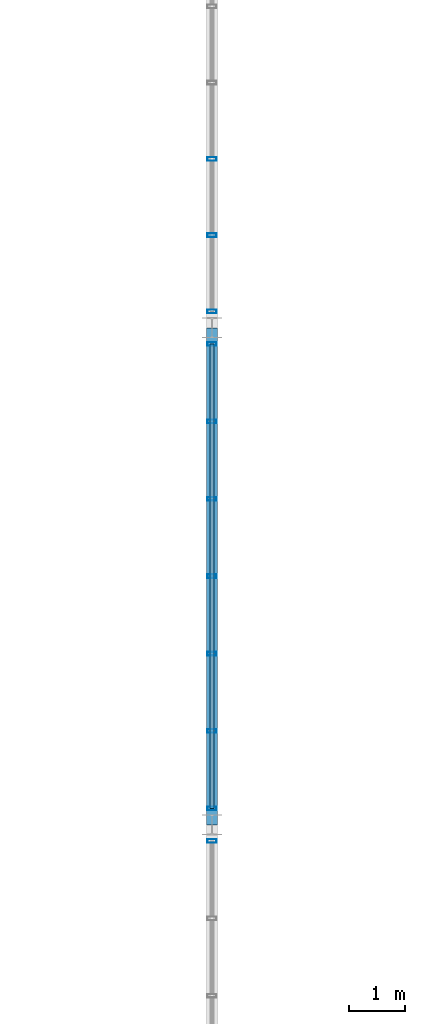
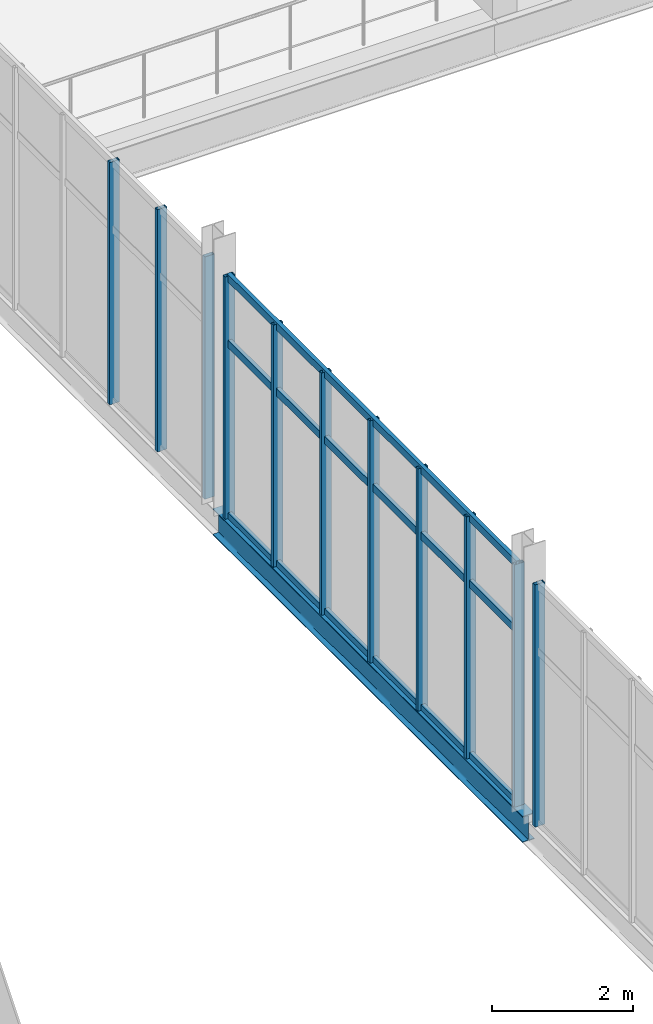
# One storey, part 42 of 157: 14 members, 1 beam, 3 elements without a shape of their own.
"""IFC4 building model written with IfcOpenShell, lengths in metres."""

from ifc_helpers import new_model, si_unit, direction, frame, origin, origin_2d, place, context, subcontext, project, spatial, hollow_rectangle, i_section, extrude, material, layer, layer_set, material_profile, profile_set, type_object, element, aggregate, save


model = new_model("IFC4")

# Units and contexts
model_context = context("Model", 3, precision=1e-05, world=origin(), true_north=direction((0.0, 1.0)))
body_context = subcontext(model_context, "Body", "Model", "MODEL_VIEW")
ifc_project = project(units=[si_unit("LENGTHUNIT", "METRE"), si_unit("AREAUNIT", "SQUARE_METRE"), si_unit("VOLUMEUNIT", "CUBIC_METRE"), si_unit("PLANEANGLEUNIT", "RADIAN"), si_unit("MASSUNIT", "GRAM", prefix="KILO")], contexts=[model_context])

# Site, building, storey
site_placement = place(None, origin())
site = spatial("IfcSite", under=ifc_project, at=site_placement, CompositionType="ELEMENT")
building_placement = place(site_placement, origin())
building = spatial("IfcBuilding", under=site, at=building_placement, Name="Chalmorin Arch Market", CompositionType="ELEMENT")
storey_placement = place(building_placement, frame((0.0, 0.0, 4.800048828125)))
storey = spatial("IfcBuildingStorey", under=building, at=storey_placement, Name="L01", CompositionType="ELEMENT", Elevation=4.800048828125)

# Curtain wall, member
ifc_material_1 = material(Name="Aluminium 6063-T6", Category="aluminium")
ifc_layer_1 = layer(ifc_material_1, 0.159912109375)
ifc_layer_set_1 = layer_set([ifc_layer_1], Name="Aluminium 6063-T6")
curtain_wall_type_1 = type_object("IfcCurtainWallType", Name="GableTympanumCurtainWall-CW4-8220x4200", PredefinedType="NOTDEFINED", material=ifc_layer_set_1)
curtain_wall_1_placement = place(storey_placement, origin())
curtain_wall_1 = element("IfcCurtainWall", 1, at=curtain_wall_1_placement, inside=storey, type_object=curtain_wall_type_1, Name="CW-04-030", PredefinedType="NOTDEFINED")
ifc_material_profile_1 = material_profile(ifc_material_1, hollow_rectangle(XDim=0.06494140625, YDim=0.159912109375, WallThickness=0.00390625, at=origin_2d()), Name="ALU65X160X4")
ifc_profile_set_1 = profile_set([ifc_material_profile_1], Name="Aluminium 6063-T6")
member_type_1 = type_object("IfcMemberType", Name="CurtainWallMullion-65x160", PredefinedType="MULLION", material=ifc_profile_set_1)
member_1_placement = place(storey_placement, frame((48.0, 32.112060546875, 0.0), z_axis=(0.0, 0.0, 1.0), x_axis=(0.0, 1.0, 0.0)))
member_1 = element("IfcMember", 2, at=member_1_placement, type_object=member_type_1, Name="ML-030-07", PredefinedType="MULLION", context=body_context, shape_type="SweptSolid", body=[
    extrude(hollow_rectangle(XDim=0.06494140625, YDim=0.159912109375, WallThickness=0.00390625, at=origin_2d()), origin(), (0.0, 0.0, 1.0), 4.199951171875),
])
aggregate(curtain_wall_1, [member_1])

# Curtain wall, members
curtain_wall_2_placement = place(storey_placement, origin())
curtain_wall_2 = element("IfcCurtainWall", 3, at=curtain_wall_2_placement, inside=storey, type_object=curtain_wall_type_1, Name="CW-04-031", PredefinedType="NOTDEFINED")
member_2_placement = place(storey_placement, frame((48.0, 32.68798828125, 0.0), z_axis=(0.0, 0.0, 1.0), x_axis=(0.0, 1.0, 0.0)))
member_2 = element("IfcMember", 4, at=member_2_placement, type_object=member_type_1, Name="ML-031-01", PredefinedType="MULLION", context=body_context, shape_type="SweptSolid", body=[
    extrude(hollow_rectangle(XDim=0.06494140625, YDim=0.159912109375, WallThickness=0.00390625, at=origin_2d()), origin(), (0.0, 0.0, 1.0), 4.199951171875),
])
member_3_placement = place(storey_placement, frame((48.0, 34.05859375, 0.0), z_axis=(0.0, 0.0, 1.0), x_axis=(0.0, 1.0, 0.0)))
member_3 = element("IfcMember", 5, at=member_3_placement, type_object=member_type_1, Name="ML-031-02", PredefinedType="MULLION", context=body_context, shape_type="SweptSolid", body=[
    extrude(hollow_rectangle(XDim=0.06494140625, YDim=0.159912109375, WallThickness=0.00390625, at=origin_2d()), origin(), (0.0, 0.0, 1.0), 4.199951171875),
])
member_4_placement = place(storey_placement, frame((48.0, 35.42919921875, 0.0), z_axis=(0.0, 0.0, 1.0), x_axis=(0.0, 1.0, 0.0)))
member_4 = element("IfcMember", 6, at=member_4_placement, type_object=member_type_1, Name="ML-031-03", PredefinedType="MULLION", context=body_context, shape_type="SweptSolid", body=[
    extrude(hollow_rectangle(XDim=0.06494140625, YDim=0.159912109375, WallThickness=0.00390625, at=origin_2d()), origin(), (0.0, 0.0, 1.0), 4.199951171875),
])
member_5_placement = place(storey_placement, frame((48.0, 36.800048828125, 0.0), z_axis=(0.0, 0.0, 1.0), x_axis=(0.0, 1.0, 0.0)))
member_5 = element("IfcMember", 7, at=member_5_placement, type_object=member_type_1, Name="ML-031-04", PredefinedType="MULLION", context=body_context, shape_type="SweptSolid", body=[
    extrude(hollow_rectangle(XDim=0.06494140625, YDim=0.159912109375, WallThickness=0.00390625, at=origin_2d()), origin(), (0.0, 0.0, 1.0), 4.199951171875),
])
member_6_placement = place(storey_placement, frame((48.0, 38.170654296875, 0.0), z_axis=(0.0, 0.0, 1.0), x_axis=(0.0, 1.0, 0.0)))
member_6 = element("IfcMember", 8, at=member_6_placement, type_object=member_type_1, Name="ML-031-05", PredefinedType="MULLION", context=body_context, shape_type="SweptSolid", body=[
    extrude(hollow_rectangle(XDim=0.06494140625, YDim=0.159912109375, WallThickness=0.00390625, at=origin_2d()), origin(), (0.0, 0.0, 1.0), 4.199951171875),
])
member_7_placement = place(storey_placement, frame((48.0, 39.541259765625, 0.0), z_axis=(0.0, 0.0, 1.0), x_axis=(0.0, 1.0, 0.0)))
member_7 = element("IfcMember", 9, at=member_7_placement, type_object=member_type_1, Name="ML-031-06", PredefinedType="MULLION", context=body_context, shape_type="SweptSolid", body=[
    extrude(hollow_rectangle(XDim=0.06494140625, YDim=0.159912109375, WallThickness=0.00390625, at=origin_2d()), origin(), (0.0, 0.0, 1.0), 4.199951171875),
])
member_8_placement = place(storey_placement, frame((48.0, 40.912109375, 0.0), z_axis=(0.0, 0.0, 1.0), x_axis=(0.0, 1.0, 0.0)))
member_8 = element("IfcMember", 10, at=member_8_placement, type_object=member_type_1, Name="ML-031-07", PredefinedType="MULLION", context=body_context, shape_type="SweptSolid", body=[
    extrude(hollow_rectangle(XDim=0.06494140625, YDim=0.159912109375, WallThickness=0.00390625, at=origin_2d()), origin(), (0.0, 0.0, 1.0), 4.199951171875),
])

ifc_layer_2 = layer(ifc_material_1, 0.159912109375)
ifc_layer_set_2 = layer_set([ifc_layer_2], Name="Aluminium 6063-T6")
curtain_wall_type_2 = type_object("IfcCurtainWallType", Name="GableTympanumCurtainWall-CW4-8100x4200", PredefinedType="NOTDEFINED", material=ifc_layer_set_2)
curtain_wall_3_placement = place(storey_placement, origin())
curtain_wall_3 = element("IfcCurtainWall", 11, at=curtain_wall_3_placement, inside=storey, type_object=curtain_wall_type_2, Name="CW-04-032", PredefinedType="NOTDEFINED")
member_9_placement = place(storey_placement, frame((48.0, 41.488037109375, 0.0), z_axis=(0.0, 0.0, 1.0), x_axis=(0.0, 1.0, 0.0)))
member_9 = element("IfcMember", 12, at=member_9_placement, type_object=member_type_1, Name="ML-032-01", PredefinedType="MULLION", context=body_context, shape_type="SweptSolid", body=[
    extrude(hollow_rectangle(XDim=0.06494140625, YDim=0.159912109375, WallThickness=0.00390625, at=origin_2d()), origin(), (0.0, 0.0, 1.0), 4.199951171875),
])
member_10_placement = place(storey_placement, frame((48.0, 42.83837890625, 0.0), z_axis=(0.0, 0.0, 1.0), x_axis=(0.0, 1.0, 0.0)))
member_10 = element("IfcMember", 13, at=member_10_placement, type_object=member_type_1, Name="ML-032-02", PredefinedType="MULLION", context=body_context, shape_type="SweptSolid", body=[
    extrude(hollow_rectangle(XDim=0.06494140625, YDim=0.159912109375, WallThickness=0.00390625, at=origin_2d()), origin(), (0.0, 0.0, 1.0), 4.199951171875),
])
member_11_placement = place(storey_placement, frame((48.0, 44.188720703125, 0.0), z_axis=(0.0, 0.0, 1.0), x_axis=(0.0, 1.0, 0.0)))
member_11 = element("IfcMember", 14, at=member_11_placement, type_object=member_type_1, Name="ML-032-03", PredefinedType="MULLION", context=body_context, shape_type="SweptSolid", body=[
    extrude(hollow_rectangle(XDim=0.06494140625, YDim=0.159912109375, WallThickness=0.00390625, at=origin_2d()), origin(), (0.0, 0.0, 1.0), 4.199951171875),
])
aggregate(curtain_wall_3, [member_9, member_10, member_11])

# Member
ifc_material_profile_2 = material_profile(ifc_material_1, hollow_rectangle(XDim=0.06494140625, YDim=0.1298828125, WallThickness=0.00390625, at=origin_2d()), Name="ALU65X130X4")
ifc_profile_set_2 = profile_set([ifc_material_profile_2], Name="Aluminium 6063-T6")
member_type_2 = type_object("IfcMemberType", Name="CurtainWallTransom-65x130", PredefinedType="USERDEFINED", material=ifc_profile_set_2)
member_12_placement = place(storey_placement, frame((48.0, 32.68798828125, 0.034912109375), z_axis=(0.0, 1.0, 0.0), x_axis=(-1.0, 0.0, 0.0)))
member_12 = element("IfcMember", 15, at=member_12_placement, type_object=member_type_2, Name="TR-031-01", ObjectType="TRANSOM", PredefinedType="USERDEFINED", context=body_context, shape_type="SweptSolid", body=[
    extrude(hollow_rectangle(XDim=0.06494140625, YDim=0.1298828125, WallThickness=0.00390625, at=origin_2d()), origin(), (0.0, 0.0, 1.0), 8.22412109375),
])

member_13_placement = place(storey_placement, frame((48.0, 32.68798828125, 3.02392578125), z_axis=(0.0, 1.0, 0.0), x_axis=(-1.0, 0.0, 0.0)))
member_13 = element("IfcMember", 16, at=member_13_placement, type_object=member_type_2, Name="TR-031-02", ObjectType="TRANSOM", PredefinedType="USERDEFINED", context=body_context, shape_type="SweptSolid", body=[
    extrude(hollow_rectangle(XDim=0.06494140625, YDim=0.1298828125, WallThickness=0.00390625, at=origin_2d()), origin(), (0.0, 0.0, 1.0), 8.22412109375),
])

member_14_placement = place(storey_placement, frame((48.0, 32.68798828125, 4.1650390625), z_axis=(0.0, 1.0, 0.0), x_axis=(-1.0, 0.0, 0.0)))
member_14 = element("IfcMember", 17, at=member_14_placement, type_object=member_type_2, Name="TR-031-03", ObjectType="TRANSOM", PredefinedType="USERDEFINED", context=body_context, shape_type="SweptSolid", body=[
    extrude(hollow_rectangle(XDim=0.06494140625, YDim=0.1298828125, WallThickness=0.00390625, at=origin_2d()), origin(), (0.0, 0.0, 1.0), 8.22412109375),
])

aggregate(curtain_wall_2, [member_2, member_3, member_4, member_5, member_6, member_7, member_8, member_12, member_13, member_14])

# Beam
ifc_material_2 = material(Name="Steel A992 Grade 50", Category="steel")
ifc_material_profile_3 = material_profile(ifc_material_2, i_section(OverallWidth=0.19091796875, OverallDepth=0.45703125, WebThickness=0.009033203125, FlangeThickness=0.014404296875, FilletRadius=0.02001953125, at=origin_2d()), Name="W18X50")
ifc_profile_set_3 = profile_set([ifc_material_profile_3], Name="Steel A992 Grade 50")
beam_type = type_object("IfcBeamType", Name="PerimeterSpandrelBeam-W18X50", PredefinedType="SPANDREL", material=ifc_profile_set_3)
beam_placement = place(storey_placement, frame((48.0, 32.39990234375, -0.22802734375), z_axis=(0.0, 1.0, 0.0), x_axis=(-1.0, 0.0, 0.0)))
element("IfcBeam", 18, at=beam_placement, inside=storey, type_object=beam_type, Name="SP-W18-0678", PredefinedType="SPANDREL", context=body_context, shape_type="SweptSolid", body=[
    extrude(i_section(OverallWidth=0.19091796875, OverallDepth=0.45703125, WebThickness=0.009033203125, FlangeThickness=0.014404296875, FilletRadius=0.02001953125, at=origin_2d()), origin(), (0.0, 0.0, 1.0), 8.800048828125),
])

save(model, "model.ifc")
